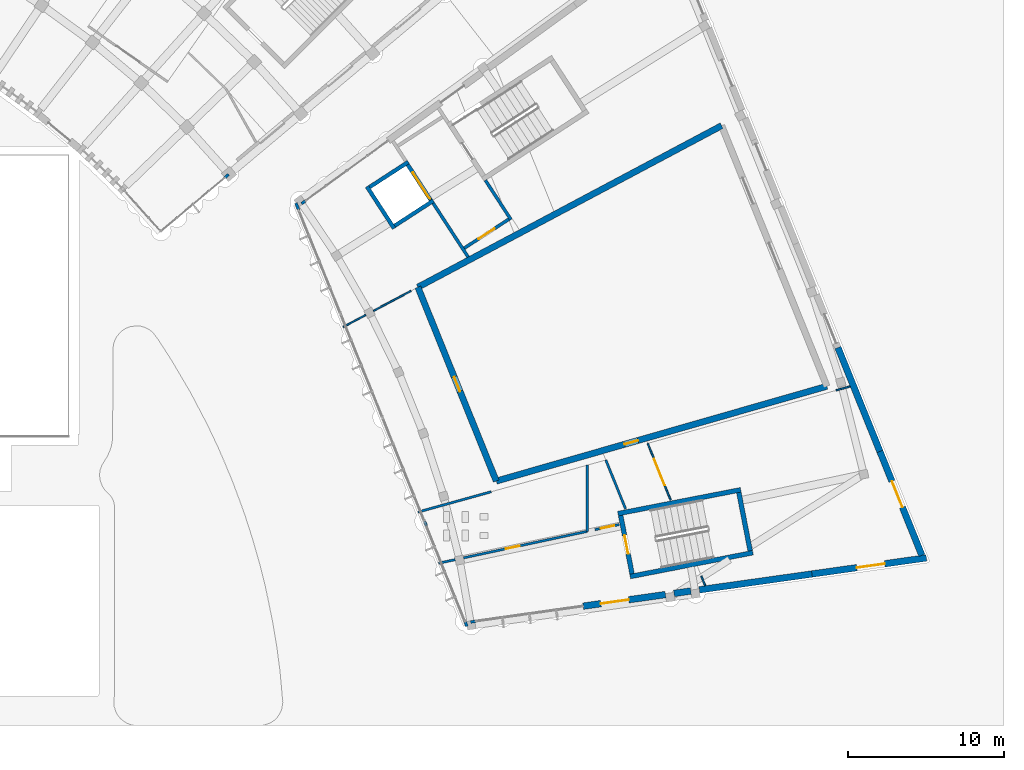
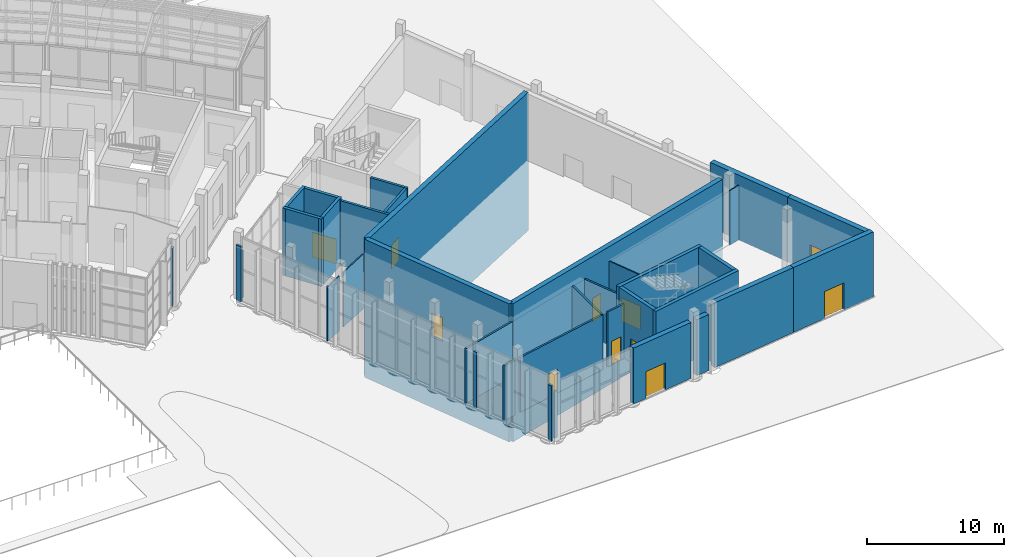
# One storey, part 99 of 155: 37 walls, 11 doors, 11 openings.
"""IFC4 building model written with IfcOpenShell, lengths in metres."""

from ifc_helpers import new_model, si_unit, direction, frame, frame_2d, origin, place, context, subcontext, project, spatial, rectangle, extrude, material, layer, layer_set, type_object, element, fill, save


model = new_model("IFC4")

# Units and contexts
model_context = context("Model", 3, precision=1e-05, world=origin(), true_north=direction((0.0, 1.0)))
body_context = subcontext(model_context, "Body", "Model", "MODEL_VIEW")
ifc_project = project(units=[si_unit("LENGTHUNIT", "METRE"), si_unit("AREAUNIT", "SQUARE_METRE"), si_unit("VOLUMEUNIT", "CUBIC_METRE"), si_unit("PLANEANGLEUNIT", "RADIAN"), si_unit("MASSUNIT", "GRAM", prefix="KILO")], contexts=[model_context])

# Site, building, storey
site_placement = place(None, origin())
site = spatial("IfcSite", under=ifc_project, at=site_placement, CompositionType="ELEMENT")
building_placement = place(site_placement, origin())
building = spatial("IfcBuilding", under=site, at=building_placement, Name="Lunette Opera House", CompositionType="ELEMENT")
storey_placement = place(building_placement, origin())
storey = spatial("IfcBuildingStorey", under=building, at=storey_placement, Name="L00", CompositionType="ELEMENT", Elevation=0.0)

# Wall
ifc_material_1 = material(Name="Plastered clay blockwork", Category="masonry")
ifc_layer_1 = layer(ifc_material_1, 0.14990234375)
ifc_layer_set_1 = layer_set([ifc_layer_1], Name="Plastered clay blockwork")
wall_type_1 = type_object("IfcWallType", Name="BLOCK PARTITION 150", PredefinedType="PARTITIONING", material=ifc_layer_set_1)
wall_1_placement = place(storey_placement, frame((152.51611328125, 15.662109375, 0.0), z_axis=(0.0, 0.0, 1.0), x_axis=(0.963682662367, 0.267050044473, 0.0)))
element("IfcWall", 1, at=wall_1_placement, inside=storey, type_object=wall_type_1, Name="Partition Studio Dressing Rooms", PredefinedType="PARTITIONING", context=body_context, shape_type="SweptSolid", body=[
    extrude(rectangle(XDim=4.856201171875, YDim=0.14990234375, at=frame_2d((2.42822265625, 0.0))), origin(), (0.0, 0.0, 1.0), 4.8798828125),
])

# Wall, opening, door
wall_2_placement = place(storey_placement, frame((155.427978515625, 12.72998046875, 0.0), z_axis=(0.0, 0.0, 1.0), x_axis=(0.977817422175, 0.209459038694, 0.0)))
wall_2 = element("IfcWall", 2, at=wall_2_placement, inside=storey, type_object=wall_type_1, Name="Partition Studio WC", PredefinedType="PARTITIONING", context=body_context, shape_type="SweptSolid", body=[
    extrude(rectangle(XDim=8.092529296875, YDim=0.14990234375, at=frame_2d((4.04638671875, 0.0))), origin(), (0.0, 0.0, 1.0), 4.8798828125),
])
opening_1_placement = place(wall_2_placement, frame((2.758056640625, 0.0, 0.0)))
opening_1 = element("IfcOpeningElement", 3, at=opening_1_placement, cuts=wall_2, Name="Opening SB-D3009", PredefinedType="OPENING", context=body_context, shape_type="SweptSolid", body=[
    extrude(rectangle(XDim=0.89990234375, YDim=2.10009765625, at=frame_2d((0.449951171875, 1.050048828125))), frame((0.0, 0.0869140625, 0.0), z_axis=(0.0, -1.0, 0.0), x_axis=(1.0, 0.0, 0.0)), (0.0, 0.0, 1.0), 0.173828125),
])
ifc_material_2 = material(Name="Timber", Category="wood")
door_type_1 = type_object("IfcDoorType", Name="FLUSH DOOR 900 X 2100", OperationType="SINGLE_SWING_LEFT", PredefinedType="DOOR", material=ifc_material_2)
door_1_placement = place(opening_1_placement, origin())
door_1 = element("IfcDoor", 4, at=door_1_placement, inside=storey, type_object=door_type_1, Name="Studio WC door", OperationType="SINGLE_SWING_LEFT", OverallHeight=2.10009765625, OverallWidth=0.89990234375, PredefinedType="DOOR", context=body_context, shape_type="SweptSolid", body=[
    extrude(rectangle(XDim=0.89990234375, YDim=2.10009765625, at=frame_2d((0.449951171875, 1.050048828125))), frame((0.0, 0.02490234375, 0.0), z_axis=(0.0, -1.0, 0.0), x_axis=(1.0, 0.0, 0.0)), (0.0, 0.0, 1.0), 0.050048828125),
])
fill(opening_1, door_1)

# Walls
wall_3_placement = place(storey_placement, frame((153.837890625, 12.388916015625, 0.0), z_axis=(0.0, 0.0, 1.0), x_axis=(0.977825675762, 0.209420504774, 0.0)))
element("IfcWall", 5, at=wall_3_placement, inside=storey, type_object=wall_type_1, Name="Partition Studio WC", PredefinedType="PARTITIONING", context=body_context, shape_type="SweptSolid", body=[
    extrude(rectangle(XDim=1.074951171875, YDim=0.14990234375, at=frame_2d((0.53759765625, 0.0))), origin(), (0.0, 0.0, 1.0), 4.8798828125),
])
wall_4_placement = place(storey_placement, frame((163.341064453125, 14.427001953125, 0.0), z_axis=(0.0, 0.0, 1.0), x_axis=(0.0, 1.0, 0.0)))
element("IfcWall", 6, at=wall_4_placement, inside=storey, type_object=wall_type_1, Name="Partition Studio WC", PredefinedType="PARTITIONING", context=body_context, shape_type="SweptSolid", body=[
    extrude(rectangle(XDim=4.23388671875, YDim=0.14990234375, at=frame_2d((2.116943359375, 0.0))), origin(), (0.0, 0.0, 1.0), 4.8798828125),
])
wall_5_placement = place(storey_placement, frame((165.7939453125, 15.85888671875, 0.0), z_axis=(0.0, 0.0, 1.0), x_axis=(-0.374567043553, 0.927199832767, 0.0)))
element("IfcWall", 7, at=wall_5_placement, inside=storey, type_object=wall_type_1, Name="Partition Accessible WC Studio", PredefinedType="PARTITIONING", context=body_context, shape_type="SweptSolid", body=[
    extrude(rectangle(XDim=3.376953125, YDim=0.14990234375, at=frame_2d((1.6884765625, 0.0))), origin(), (0.0, 0.0, 1.0), 4.8798828125),
])

# Wall, opening, door
wall_6_placement = place(storey_placement, frame((163.830078125, 14.530029296875, 0.0), z_axis=(0.0, 0.0, 1.0), x_axis=(0.97793446098, 0.208911919307, 0.0)))
wall_6 = element("IfcWall", 8, at=wall_6_placement, inside=storey, type_object=wall_type_1, Name="Partition Accessible WC Studio", PredefinedType="PARTITIONING", context=body_context, shape_type="SweptSolid", body=[
    extrude(rectangle(XDim=1.593994140625, YDim=0.14990234375, at=frame_2d((0.796875, 0.0))), origin(), (0.0, 0.0, 1.0), 4.8798828125),
])
opening_2_placement = place(wall_6_placement, frame((0.3720703125, 0.0, 0.0)))
opening_2 = element("IfcOpeningElement", 9, at=opening_2_placement, cuts=wall_6, Name="Opening SB-D3010", PredefinedType="OPENING", context=body_context, shape_type="SweptSolid", body=[
    extrude(rectangle(XDim=0.89990234375, YDim=2.10009765625, at=frame_2d((0.449951171875, 1.050048828125))), frame((0.0, 0.0869140625, 0.0), z_axis=(0.0, -1.0, 0.0), x_axis=(1.0, 0.0, 0.0)), (0.0, 0.0, 1.0), 0.173828125),
])
door_2_placement = place(opening_2_placement, origin())
door_2 = element("IfcDoor", 10, at=door_2_placement, inside=storey, type_object=door_type_1, Name="Accessible WC Studio door", OperationType="SINGLE_SWING_RIGHT", OverallHeight=2.10009765625, OverallWidth=0.89990234375, PredefinedType="DOOR", context=body_context, shape_type="SweptSolid", body=[
    extrude(rectangle(XDim=0.89990234375, YDim=2.10009765625, at=frame_2d((0.449951171875, 1.050048828125))), frame((0.0, 0.02490234375, 0.0), z_axis=(0.0, -1.0, 0.0), x_axis=(1.0, 0.0, 0.0)), (0.0, 0.0, 1.0), 0.050048828125),
])
fill(opening_2, door_2)

# Walls
ifc_material_3 = material(Name="Insulated aluminium sandwich panel", Category="aluminium")
ifc_layer_2 = layer(ifc_material_3, 0.179931640625)
ifc_layer_set_2 = layer_set([ifc_layer_2], Name="Insulated aluminium sandwich panel")
wall_type_2 = type_object("IfcWallType", Name="CURTAIN WALL INFILL 180", PredefinedType="SOLIDWALL", material=ifc_layer_set_2)
wall_7_placement = place(storey_placement, frame((140.162109375, 37.056884765625, 0.0), z_axis=(0.0, 0.0, 1.0), x_axis=(0.766382097523, 0.642384994062, 0.0)))
element("IfcWall", 11, at=wall_7_placement, inside=storey, type_object=wall_type_2, Name="Curtain Wall Infill 180 IN8 L00", PredefinedType="SOLIDWALL", context=body_context, shape_type="SweptSolid", body=[
    extrude(rectangle(XDim=0.30517578125, YDim=0.179931640625, at=frame_2d((0.152587890625, 0.0))), origin(), (0.0, 0.0, 1.0), 5.14990234375),
])
wall_8_placement = place(storey_placement, frame((144.8759765625, 34.9990234375, 0.0), z_axis=(0.0, 0.0, 1.0), x_axis=(-0.374558592096, 0.927203246914, 0.0)))
element("IfcWall", 12, at=wall_8_placement, inside=storey, type_object=wall_type_2, Name="Curtain Wall Infill 180 IN124 L00", PredefinedType="SOLIDWALL", context=body_context, shape_type="SweptSolid", body=[
    extrude(rectangle(XDim=0.46484375, YDim=0.179931640625, at=frame_2d((0.232421875, 0.0))), origin(), (0.0, 0.0, 1.0), 4.929931640625),
])
wall_9_placement = place(storey_placement, frame((152.928955078125, 15.06689453125, 0.0), z_axis=(0.0, 0.0, 1.0), x_axis=(0.373735167079, -0.927535457483, 0.0)))
element("IfcWall", 13, at=wall_9_placement, inside=storey, type_object=wall_type_2, Name="Curtain Wall Infill 180 IN125 L00", PredefinedType="SOLIDWALL", context=body_context, shape_type="SweptSolid", body=[
    extrude(rectangle(XDim=0.30517578125, YDim=0.179931640625, at=frame_2d((0.152587890625, 0.0))), origin(), (0.0, 0.0, 1.0), 4.929931640625),
])
wall_10_placement = place(storey_placement, frame((155.527099609375, 8.635986328125, 0.0), z_axis=(0.0, 0.0, 1.0), x_axis=(0.374463049601, -0.927241837108, 0.0)))
element("IfcWall", 14, at=wall_10_placement, inside=storey, type_object=wall_type_2, Name="Curtain Wall Infill 180 IN126 L00", PredefinedType="SOLIDWALL", context=body_context, shape_type="SweptSolid", body=[
    extrude(rectangle(XDim=0.31494140625, YDim=0.179931640625, at=frame_2d((0.157470703125, 0.0))), origin(), (0.0, 0.0, 1.0), 4.929931640625),
])
for number, where, z_axis, x_axis, name in (
    (15, (156.18408203125, 8.669921875, 0.0), (0.0, 0.0, 1.0), (-0.99047104668, -0.137721115626, 0.0), "Curtain Wall Infill 180 IN127 L00"),
    (16, (145.31591796875, 35.571044921875, 0.0), (0.0, 0.0, 1.0), (-0.809600929575, -0.586980693747, 0.0), "Curtain Wall Infill 180 IN128 L00"),
):
    element("IfcWall", number, at=place(storey_placement, frame(where, z_axis=z_axis, x_axis=x_axis)), inside=storey, type_object=wall_type_2, Name=name, PredefinedType="SOLIDWALL", context=body_context, shape_type="SweptSolid", body=[
        extrude(rectangle(XDim=0.304931640625, YDim=0.179931640625, at=frame_2d((0.15234375, 0.0))), origin(), (0.0, 0.0, 1.0), 4.1298828125),
    ])
ifc_material_4 = material(Name="Concrete C35/45", Category="concrete")
ifc_layer_3 = layer(ifc_material_4, 0.199951171875)
ifc_layer_set_3 = layer_set([ifc_layer_3], Name="Concrete C35/45")
wall_type_3 = type_object("IfcWallType", Name="LOBBY WALL 200", PredefinedType="PARTITIONING", material=ifc_layer_set_3)
wall_11_placement = place(storey_placement, frame((153.47607421875, 35.428955078125, 0.0), z_axis=(0.0, 0.0, 1.0), x_axis=(0.544730341518, -0.838611265742, 0.0)))
element("IfcWall", 17, at=wall_11_placement, inside=storey, type_object=wall_type_3, Name="LL-ST lobby wall 1b", PredefinedType="PARTITIONING", context=body_context, shape_type="SweptSolid", body=[
    extrude(rectangle(XDim=4.124755859375, YDim=0.199951171875, at=frame_2d((2.0625, 0.0))), origin(), (0.0, 0.0, 1.0), 5.780029296875),
])

# Wall, opening, door
wall_12_placement = place(storey_placement, frame((155.470947265625, 32.5400390625, 0.0), z_axis=(0.0, 0.0, 1.0), x_axis=(0.838683012783, 0.544619871167, 0.0)))
wall_12 = element("IfcWall", 18, at=wall_12_placement, inside=storey, type_object=wall_type_3, Name="LL-ST lobby wall 2a", PredefinedType="PARTITIONING", context=body_context, shape_type="SweptSolid", body=[
    extrude(rectangle(XDim=3.400634765625, YDim=0.199951171875, at=frame_2d((1.7001953125, 0.0))), origin(), (0.0, 0.0, 1.0), 5.780029296875),
])
opening_3_placement = place(wall_12_placement, frame((1.10009765625, 0.0, 0.0)))
opening_3 = element("IfcOpeningElement", 19, at=opening_3_placement, cuts=wall_12, Name="Opening SB-D7011", PredefinedType="OPENING", context=body_context, shape_type="SweptSolid", body=[
    extrude(rectangle(XDim=1.199951171875, YDim=2.10009765625, at=frame_2d((0.60009765625, 1.050048828125))), frame((0.0, 0.112060546875, 0.0), z_axis=(0.0, -1.0, 0.0), x_axis=(1.0, 0.0, 0.0)), (0.0, 0.0, 1.0), 0.223876953125),
])
ifc_material_5 = material(Name="Steel", Category="steel")
door_type_2 = type_object("IfcDoorType", Name="FIRE DOOR 1200 X 2100", OperationType="SINGLE_SWING_LEFT", PredefinedType="DOOR", material=ifc_material_5)
door_3_placement = place(opening_3_placement, origin())
door_3 = element("IfcDoor", 20, at=door_3_placement, inside=storey, type_object=door_type_2, Name="LL-ST lobby door", OperationType="SINGLE_SWING_LEFT", OverallHeight=2.10009765625, OverallWidth=1.199951171875, PredefinedType="DOOR", context=body_context, shape_type="SweptSolid", body=[
    extrude(rectangle(XDim=1.199951171875, YDim=2.10009765625, at=frame_2d((0.60009765625, 1.050048828125))), frame((0.0, 0.02490234375, 0.0), z_axis=(0.0, -1.0, 0.0), x_axis=(1.0, 0.0, 0.0)), (0.0, 0.0, 1.0), 0.050048828125),
])
fill(opening_3, door_3)

# Walls
wall_13_placement = place(storey_placement, frame((158.4619140625, 34.363037109375, 0.0), z_axis=(0.0, 0.0, 1.0), x_axis=(-0.544606183959, 0.838691900756, 0.0)))
element("IfcWall", 21, at=wall_13_placement, inside=storey, type_object=wall_type_3, Name="LL-ST lobby wall 3a", PredefinedType="PARTITIONING", context=body_context, shape_type="SweptSolid", body=[
    extrude(rectangle(XDim=3.00927734375, YDim=0.199951171875, at=frame_2d((1.504638671875, 0.0))), origin(), (0.0, 0.0, 1.0), 5.780029296875),
])
ifc_material_6 = material(Name="Concrete C35/45", Category="concrete")
ifc_layer_4 = layer(ifc_material_6, 0.25)
ifc_layer_set_4 = layer_set([ifc_layer_4], Name="Concrete C35/45")
wall_type_4 = type_object("IfcWallType", Name="RC LIFT SHAFT WALL 250", PredefinedType="SOLIDWALL", material=ifc_layer_set_4)
for number, where, z_axis, x_axis, name in (
    (22, (149.243896484375, 36.485107421875, 0.0), (0.0, 0.0, 1.0), (0.54466119011, -0.838656179842, 0.0), "LF8 shaft wall 1"),
    (23, (150.81396484375, 33.837890625, 0.0), (0.0, 0.0, 1.0), (0.838656179842, 0.54466119011, 0.0), "LF8 shaft wall 2"),
):
    element("IfcWall", number, at=place(storey_placement, frame(where, z_axis=z_axis, x_axis=x_axis)), inside=storey, type_object=wall_type_4, Name=name, PredefinedType="SOLIDWALL", context=body_context, shape_type="SweptSolid", body=[
        extrude(rectangle(XDim=3.200439453125, YDim=0.25, at=frame_2d((1.60009765625, 0.0))), origin(), (0.0, 0.0, 1.0), 6.0),
    ])

# Wall, opening, door
wall_14_placement = place(storey_placement, frame((153.4609375, 35.407958984375, 0.0), z_axis=(0.0, 0.0, 1.0), x_axis=(-0.544746938909, 0.838600484467, 0.0)))
wall_14 = element("IfcWall", 24, at=wall_14_placement, inside=storey, type_object=wall_type_4, Name="LF8 shaft wall 3", PredefinedType="SOLIDWALL", context=body_context, shape_type="SweptSolid", body=[
    extrude(rectangle(XDim=3.199462890625, YDim=0.25, at=frame_2d((1.599609375, 0.0))), origin(), (0.0, 0.0, 1.0), 6.0),
])
opening_4_placement = place(wall_14_placement, frame((0.35009765625, 0.0, 0.0)))
opening_4 = element("IfcOpeningElement", 25, at=opening_4_placement, cuts=wall_14, Name="Opening SB-LD002", PredefinedType="OPENING", context=body_context, shape_type="SweptSolid", body=[
    extrude(rectangle(XDim=2.0, YDim=2.199951171875, at=frame_2d((1.0, 1.10009765625))), frame((0.0, 0.136962890625, 0.0), z_axis=(0.0, -1.0, 0.0), x_axis=(1.0, 0.0, 0.0)), (0.0, 0.0, 1.0), 0.27392578125),
])
ifc_material_7 = material(Name="Stainless steel", Category="steel")
door_type_3 = type_object("IfcDoorType", Name="LIFT LANDING DOOR 2000 X 2200", OperationType="DOUBLE_DOOR_SLIDING", PredefinedType="DOOR", material=ifc_material_7)
door_4_placement = place(opening_4_placement, origin())
door_4 = element("IfcDoor", 26, at=door_4_placement, inside=storey, type_object=door_type_3, Name="LF8 lift landing door", OperationType="DOUBLE_DOOR_SLIDING", OverallHeight=2.199951171875, OverallWidth=2.0, PredefinedType="DOOR", context=body_context, shape_type="SweptSolid", body=[
    extrude(rectangle(XDim=2.0, YDim=2.199951171875, at=frame_2d((1.0, 1.10009765625))), frame((0.0, 0.02490234375, 0.0), z_axis=(0.0, -1.0, 0.0), x_axis=(1.0, 0.0, 0.0)), (0.0, 0.0, 1.0), 0.050048828125),
])
fill(opening_4, door_4)

# Wall
wall_15_placement = place(storey_placement, frame((151.89111328125, 38.053955078125, 0.0), z_axis=(0.0, 0.0, 1.0), x_axis=(-0.838830397361, -0.544392840201, 0.0)))
element("IfcWall", 27, at=wall_15_placement, inside=storey, type_object=wall_type_4, Name="LF8 shaft wall 4", PredefinedType="SOLIDWALL", context=body_context, shape_type="SweptSolid", body=[
    extrude(rectangle(XDim=3.19970703125, YDim=0.25, at=frame_2d((1.599853515625, 0.0))), origin(), (0.0, 0.0, 1.0), 6.0),
])

# Wall, opening, door
ifc_material_8 = material(Name="Concrete C35/45", Category="concrete")
ifc_layer_5 = layer(ifc_material_8, 0.300048828125)
ifc_layer_set_5 = layer_set([ifc_layer_5], Name="Concrete C35/45")
wall_type_5 = type_object("IfcWallType", Name="RC STAIR ENCLOSURE WALL 300", PredefinedType="SOLIDWALL", material=ifc_layer_set_5)
wall_16_placement = place(storey_placement, frame((165.47998046875, 15.44091796875, 0.0), z_axis=(0.0, 0.0, 1.0), x_axis=(0.190824946063, -0.981624082814, 0.0)))
wall_16 = element("IfcWall", 28, at=wall_16_placement, inside=storey, type_object=wall_type_5, Name="ST22 enclosure wall 1", PredefinedType="SOLIDWALL", context=body_context, shape_type="SweptSolid", body=[
    extrude(rectangle(XDim=3.7998046875, YDim=0.300048828125, at=frame_2d((1.89990234375, 0.0))), origin(), (0.0, 0.0, 1.0), 6.0),
])
opening_5_placement = place(wall_16_placement, frame((1.300048828125, 0.0, 0.0)))
opening_5 = element("IfcOpeningElement", 29, at=opening_5_placement, cuts=wall_16, Name="Opening SB-D7007", PredefinedType="OPENING", context=body_context, shape_type="SweptSolid", body=[
    extrude(rectangle(XDim=1.199951171875, YDim=2.10009765625, at=frame_2d((0.60009765625, 1.050048828125))), frame((0.0, 0.162109375, 0.0), z_axis=(0.0, -1.0, 0.0), x_axis=(1.0, 0.0, 0.0)), (0.0, 0.0, 1.0), 0.323974609375),
])
door_5_placement = place(opening_5_placement, origin())
door_5 = element("IfcDoor", 30, at=door_5_placement, inside=storey, type_object=door_type_2, Name="ST22 stair door", OperationType="SINGLE_SWING_LEFT", OverallHeight=2.10009765625, OverallWidth=1.199951171875, PredefinedType="DOOR", context=body_context, shape_type="SweptSolid", body=[
    extrude(rectangle(XDim=1.199951171875, YDim=2.10009765625, at=frame_2d((0.60009765625, 1.050048828125))), frame((0.0, 0.02490234375, 0.0), z_axis=(0.0, -1.0, 0.0), x_axis=(1.0, 0.0, 0.0)), (0.0, 0.0, 1.0), 0.050048828125),
])
fill(opening_5, door_5)

# Walls
wall_17_placement = place(storey_placement, frame((166.0859375, 11.534912109375, 0.0), z_axis=(0.0, 0.0, 1.0), x_axis=(0.981635396686, 0.190766737073, 0.0)))
element("IfcWall", 31, at=wall_17_placement, inside=storey, type_object=wall_type_5, Name="ST22 enclosure wall 2", PredefinedType="SOLIDWALL", context=body_context, shape_type="SweptSolid", body=[
    extrude(rectangle(XDim=8.0, YDim=0.300048828125, at=frame_2d((4.0, 0.0))), origin(), (0.0, 0.0, 1.0), 6.0),
])
wall_18_placement = place(storey_placement, frame((173.763916015625, 13.179931640625, 0.0), z_axis=(0.0, 0.0, 1.0), x_axis=(-0.190763033741, 0.981636116368, 0.0)))
element("IfcWall", 32, at=wall_18_placement, inside=storey, type_object=wall_type_5, Name="ST22 enclosure wall 3", PredefinedType="SOLIDWALL", context=body_context, shape_type="SweptSolid", body=[
    extrude(rectangle(XDim=3.7998046875, YDim=0.300048828125, at=frame_2d((1.89990234375, 0.0))), origin(), (0.0, 0.0, 1.0), 6.0),
])
wall_19_placement = place(storey_placement, frame((173.157958984375, 17.0859375, 0.0), z_axis=(0.0, 0.0, 1.0), x_axis=(-0.981641111144, -0.190737329623, 0.0)))
element("IfcWall", 33, at=wall_19_placement, inside=storey, type_object=wall_type_5, Name="ST22 enclosure wall 4", PredefinedType="SOLIDWALL", context=body_context, shape_type="SweptSolid", body=[
    extrude(rectangle(XDim=8.0, YDim=0.300048828125, at=frame_2d((4.0, 0.0))), origin(), (0.0, 0.0, 1.0), 6.0),
])
ifc_material_9 = material(Name="Concrete C35/45", Category="concrete")
ifc_layer_6 = layer(ifc_material_9, 0.39990234375)
ifc_layer_set_6 = layer_set([ifc_layer_6], Name="Concrete C35/45")
wall_type_6 = type_object("IfcWallType", Name="RC WALL 400", PredefinedType="SHEAR", material=ifc_layer_set_6)
wall_20_placement = place(storey_placement, frame((171.93310546875, 40.375, -6.300048828125), z_axis=(0.0, 0.0, 1.0), x_axis=(-0.882926128241, -0.469511929634, 0.0)))
element("IfcWall", 34, at=wall_20_placement, inside=storey, type_object=wall_type_6, Name="wall-SB-L00-HW1", PredefinedType="SHEAR", context=body_context, shape_type="SweptSolid", body=[
    extrude(rectangle(XDim=21.999755859375, YDim=0.39990234375, at=frame_2d((11.0, 0.0))), origin(), (0.0, 0.0, 1.0), 12.300048828125),
])

# Wall, opening, door
wall_21_placement = place(storey_placement, frame((152.509033203125, 30.0458984375, -6.300048828125), z_axis=(0.0, 0.0, 1.0), x_axis=(0.374613299166, -0.92718114524, 0.0)))
wall_21 = element("IfcWall", 35, at=wall_21_placement, inside=storey, type_object=wall_type_6, Name="wall-SB-L00-HW2", PredefinedType="SHEAR", context=body_context, shape_type="SweptSolid", body=[
    extrude(rectangle(XDim=13.379150390625, YDim=0.39990234375, at=frame_2d((6.689453125, 0.0))), origin(), (0.0, 0.0, 1.0), 12.300048828125),
])
opening_6_placement = place(wall_21_placement, frame((6.19091796875, 0.0, 6.300048828125)))
opening_6 = element("IfcOpeningElement", 36, at=opening_6_placement, cuts=wall_21, Name="Opening SB-D3007", PredefinedType="OPENING", context=body_context, shape_type="SweptSolid", body=[
    extrude(rectangle(XDim=1.0, YDim=2.10009765625, at=frame_2d((0.5, 1.050048828125))), frame((0.0, 0.2119140625, 0.0), z_axis=(0.0, -1.0, 0.0), x_axis=(1.0, 0.0, 0.0)), (0.0, 0.0, 1.0), 0.423828125),
])
ifc_material_10 = material(Name="Timber", Category="wood")
door_type_4 = type_object("IfcDoorType", Name="FLUSH DOOR 1000 X 2100", OperationType="SINGLE_SWING_LEFT", PredefinedType="DOOR", material=ifc_material_10)
door_6_placement = place(opening_6_placement, origin())
door_6 = element("IfcDoor", 37, at=door_6_placement, inside=storey, type_object=door_type_4, Name="Studio Dressing Rooms door", OperationType="SINGLE_SWING_RIGHT", OverallHeight=2.10009765625, OverallWidth=1.0, PredefinedType="DOOR", context=body_context, shape_type="SweptSolid", body=[
    extrude(rectangle(XDim=1.0, YDim=2.10009765625, at=frame_2d((0.5, 1.050048828125))), frame((0.0, 0.02490234375, 0.0), z_axis=(0.0, -1.0, 0.0), x_axis=(1.0, 0.0, 0.0)), (0.0, 0.0, 1.0), 0.050048828125),
])
fill(opening_6, door_6)

wall_22_placement = place(storey_placement, frame((157.52099609375, 17.64111328125, -6.300048828125), z_axis=(0.0, 0.0, 1.0), x_axis=(0.961263044958, 0.275632651182, 0.0)))
wall_22 = element("IfcWall", 38, at=wall_22_placement, inside=storey, type_object=wall_type_6, Name="wall-SB-L00-HW3", PredefinedType="SHEAR", context=body_context, shape_type="SweptSolid", body=[
    extrude(rectangle(XDim=22.000244140625, YDim=0.39990234375, at=frame_2d((11.0, 0.0))), origin(), (0.0, 0.0, 1.0), 12.300048828125),
])
opening_7_placement = place(wall_22_placement, frame((8.531005859375, 0.0, 6.300048828125)))
opening_7 = element("IfcOpeningElement", 39, at=opening_7_placement, cuts=wall_22, Name="Opening SB-D3011", PredefinedType="OPENING", context=body_context, shape_type="SweptSolid", body=[
    extrude(rectangle(XDim=0.89990234375, YDim=2.10009765625, at=frame_2d((0.449951171875, 1.050048828125))), frame((0.0, 0.2119140625, 0.0), z_axis=(0.0, -1.0, 0.0), x_axis=(1.0, 0.0, 0.0)), (0.0, 0.0, 1.0), 0.423828125),
])
door_7_placement = place(opening_7_placement, origin())
door_7 = element("IfcDoor", 40, at=door_7_placement, inside=storey, type_object=door_type_1, Name="Studio Corridor South East door", OperationType="SINGLE_SWING_LEFT", OverallHeight=2.10009765625, OverallWidth=0.89990234375, PredefinedType="DOOR", context=body_context, shape_type="SweptSolid", body=[
    extrude(rectangle(XDim=0.89990234375, YDim=2.10009765625, at=frame_2d((0.449951171875, 1.050048828125))), frame((0.0, 0.02490234375, 0.0), z_axis=(0.0, -1.0, 0.0), x_axis=(1.0, 0.0, 0.0)), (0.0, 0.0, 1.0), 0.050048828125),
])
fill(opening_7, door_7)

# Walls
ifc_material_11 = material(Name="Gypsum board on steel studs", Category="steel")
ifc_layer_7 = layer(ifc_material_11, 0.10009765625)
ifc_layer_set_7 = layer_set([ifc_layer_7], Name="Gypsum board on steel studs")
wall_type_7 = type_object("IfcWallType", Name="STUD PARTITION 100", PredefinedType="PARTITIONING", material=ifc_layer_set_7)
wall_23_placement = place(storey_placement, frame((179.263916015625, 23.445068359375, 0.0), z_axis=(0.0, 0.0, 1.0), x_axis=(0.962432048277, 0.271522655501, 0.0)))
element("IfcWall", 41, at=wall_23_placement, inside=storey, type_object=wall_type_7, Name="Partition Studio Foyer", PredefinedType="PARTITIONING", context=body_context, shape_type="SweptSolid", body=[
    extrude(rectangle(XDim=0.927978515625, YDim=0.10009765625, at=frame_2d((0.4638671875, 0.0))), origin(), (0.0, 0.0, 1.0), 4.8798828125),
])
wall_24_placement = place(storey_placement, frame((149.6630859375, 28.529052734375, 0.0), z_axis=(0.0, 0.0, 1.0), x_axis=(0.882836035131, 0.469681312247, 0.0)))
element("IfcWall", 42, at=wall_24_placement, inside=storey, type_object=wall_type_7, Name="Partition Studio Bar", PredefinedType="PARTITIONING", context=body_context, shape_type="SweptSolid", body=[
    extrude(rectangle(XDim=2.725341796875, YDim=0.10009765625, at=frame_2d((1.36279296875, 0.0))), origin(), (0.0, 0.0, 1.0), 4.8798828125),
])
wall_25_placement = place(storey_placement, frame((147.73193359375, 27.5029296875, 0.0), z_axis=(0.0, 0.0, 1.0), x_axis=(0.882889505907, 0.469580792153, 0.0)))
element("IfcWall", 43, at=wall_25_placement, inside=storey, type_object=wall_type_7, Name="Partition Studio Bar", PredefinedType="PARTITIONING", context=body_context, shape_type="SweptSolid", body=[
    extrude(rectangle(XDim=1.6357421875, YDim=0.10009765625, at=frame_2d((0.81787109375, 0.0))), origin(), (0.0, 0.0, 1.0), 4.8798828125),
])

# Wall, opening, door
wall_26_placement = place(storey_placement, frame((168.677978515625, 16.4189453125, 0.0), z_axis=(0.0, 0.0, 1.0), x_axis=(-0.374729910149, 0.927134021833, 0.0)))
wall_26 = element("IfcWall", 44, at=wall_26_placement, inside=storey, type_object=wall_type_7, Name="Partition Studio Corridor South East", PredefinedType="PARTITIONING", context=body_context, shape_type="SweptSolid", body=[
    extrude(rectangle(XDim=3.91748046875, YDim=0.10009765625, at=frame_2d((1.958740234375, 0.0))), origin(), (0.0, 0.0, 1.0), 4.8798828125),
])
opening_8_placement = place(wall_26_placement, frame((1.032958984375, 0.0, 0.0)))
opening_8 = element("IfcOpeningElement", 45, at=opening_8_placement, cuts=wall_26, Name="Opening SB-D3008", PredefinedType="OPENING", context=body_context, shape_type="SweptSolid", body=[
    extrude(rectangle(XDim=1.800048828125, YDim=2.10009765625, at=frame_2d((0.89990234375, 1.050048828125))), frame((0.0, 0.06201171875, 0.0), z_axis=(0.0, -1.0, 0.0), x_axis=(1.0, 0.0, 0.0)), (0.0, 0.0, 1.0), 0.1240234375),
])
ifc_material_12 = material(Name="Timber", Category="wood")
door_type_5 = type_object("IfcDoorType", Name="DOUBLE FLUSH DOOR 1800 X 2100", OperationType="DOUBLE_DOOR_SINGLE_SWING", PredefinedType="DOOR", material=ifc_material_12)
door_8_placement = place(opening_8_placement, origin())
door_8 = element("IfcDoor", 46, at=door_8_placement, inside=storey, type_object=door_type_5, Name="Studio Rehearsal Room door", OperationType="DOUBLE_DOOR_SINGLE_SWING", OverallHeight=2.10009765625, OverallWidth=1.800048828125, PredefinedType="DOOR", context=body_context, shape_type="SweptSolid", body=[
    extrude(rectangle(XDim=1.800048828125, YDim=2.10009765625, at=frame_2d((0.89990234375, 1.050048828125))), frame((0.0, 0.02490234375, 0.0), z_axis=(0.0, -1.0, 0.0), x_axis=(1.0, 0.0, 0.0)), (0.0, 0.0, 1.0), 0.050048828125),
])
fill(opening_8, door_8)

# Wall
wall_27_placement = place(storey_placement, frame((170.887939453125, 10.948974609375, 0.0), z_axis=(0.0, 0.0, 1.0), x_axis=(-0.374655870393, 0.927163943852, 0.0)))
element("IfcWall", 47, at=wall_27_placement, inside=storey, type_object=wall_type_7, Name="Partition Studio Corridor", PredefinedType="PARTITIONING", context=body_context, shape_type="SweptSolid", body=[
    extrude(rectangle(XDim=0.669921875, YDim=0.10009765625, at=frame_2d((0.3349609375, 0.0))), origin(), (0.0, 0.0, 1.0), 4.8798828125),
])

# Wall, opening, door
ifc_material_13 = material(Name="Clinker brick", Category="masonry")
ifc_layer_8 = layer(ifc_material_13, 0.419921875)
ifc_layer_set_8 = layer_set([ifc_layer_8], Name="Clinker brick")
wall_type_8 = type_object("IfcWallType", Name="STUDIO BRICK WALL 420", PredefinedType="SOLIDWALL", material=ifc_layer_set_8)
wall_28_placement = place(storey_placement, frame((163.076904296875, 9.638916015625, 0.0), z_axis=(0.0, 0.0, 1.0), x_axis=(0.990252820999, 0.139281551197, 0.0)))
wall_28 = element("IfcWall", 48, at=wall_28_placement, inside=storey, type_object=wall_type_8, Name="Studio Brick Wall 420 F06-1 L00", PredefinedType="SOLIDWALL", context=body_context, shape_type="SweptSolid", body=[
    extrude(rectangle(XDim=5.31982421875, YDim=0.419921875, at=frame_2d((2.659912109375, 0.0))), origin(), (0.0, 0.0, 1.0), 4.97998046875),
])
opening_9_placement = place(wall_28_placement, frame((1.14990234375, 0.0, 0.0)))
opening_9 = element("IfcOpeningElement", 49, at=opening_9_placement, cuts=wall_28, Name="Opening SB-D2006", PredefinedType="OPENING", context=body_context, shape_type="SweptSolid", body=[
    extrude(rectangle(XDim=1.800048828125, YDim=2.39990234375, at=frame_2d((0.89990234375, 1.199951171875))), frame((0.0, 0.221923828125, 0.0), z_axis=(0.0, -1.0, 0.0), x_axis=(1.0, 0.0, 0.0)), (0.0, 0.0, 1.0), 0.44384765625),
])
ifc_material_14 = material(Name="Powder-coated steel", Category="steel")
door_type_6 = type_object("IfcDoorType", Name="EXIT DOUBLE DOOR 1800 X 2400", OperationType="DOUBLE_DOOR_DOUBLE_SWING", PredefinedType="DOOR", material=ifc_material_14)
door_9_placement = place(opening_9_placement, origin())
door_9 = element("IfcDoor", 50, at=door_9_placement, inside=storey, type_object=door_type_6, Name="Exit Double Door 1800 X 2400 SBXD1 L00", OperationType="DOUBLE_DOOR_DOUBLE_SWING", OverallHeight=2.39990234375, OverallWidth=1.800048828125, PredefinedType="DOOR", context=body_context, shape_type="SweptSolid", body=[
    extrude(rectangle(XDim=1.800048828125, YDim=2.39990234375, at=frame_2d((0.89990234375, 1.199951171875))), frame((0.0, 0.02490234375, 0.0), z_axis=(0.0, -1.0, 0.0), x_axis=(1.0, 0.0, 0.0)), (0.0, 0.0, 1.0), 0.050048828125),
])
fill(opening_9, door_9)

# Walls
wall_29_placement = place(storey_placement, frame((168.889892578125, 10.4560546875, 0.0), z_axis=(0.0, 0.0, 1.0), x_axis=(0.990225632743, 0.139474715481, 0.0)))
element("IfcWall", 51, at=wall_29_placement, inside=storey, type_object=wall_type_8, Name="Studio Brick Wall 420 F06-2 L00", PredefinedType="SOLIDWALL", context=body_context, shape_type="SweptSolid", body=[
    extrude(rectangle(XDim=1.0888671875, YDim=0.419921875, at=frame_2d((0.54443359375, 0.0))), origin(), (0.0, 0.0, 1.0), 4.97998046875),
])
wall_30_placement = place(storey_placement, frame((170.512939453125, 10.68408203125, 0.0), z_axis=(0.0, 0.0, 1.0), x_axis=(0.990259181758, 0.139236320493, 0.0)))
element("IfcWall", 52, at=wall_30_placement, inside=storey, type_object=wall_type_8, Name="Studio Brick Wall 420 F07 L00", PredefinedType="SOLIDWALL", context=body_context, shape_type="SweptSolid", body=[
    extrude(rectangle(XDim=7.27490234375, YDim=0.419921875, at=frame_2d((3.637451171875, 0.0))), origin(), (0.0, 0.0, 1.0), 5.780029296875),
])

# Wall, opening, door
wall_31_placement = place(storey_placement, frame((177.717041015625, 11.697021484375, 0.0), z_axis=(0.0, 0.0, 1.0), x_axis=(0.990262769028, 0.139210805171, 0.0)))
wall_31 = element("IfcWall", 53, at=wall_31_placement, inside=storey, type_object=wall_type_8, Name="Studio Brick Wall 420 F08 L00", PredefinedType="SOLIDWALL", context=body_context, shape_type="SweptSolid", body=[
    extrude(rectangle(XDim=7.39208984375, YDim=0.419921875, at=frame_2d((3.696044921875, 0.0))), origin(), (0.0, 0.0, 1.0), 5.780029296875),
])
opening_10_placement = place(wall_31_placement, frame((2.89990234375, 0.0, 0.0)))
opening_10 = element("IfcOpeningElement", 54, at=opening_10_placement, cuts=wall_31, Name="Opening SB-D2007", PredefinedType="OPENING", context=body_context, shape_type="SweptSolid", body=[
    extrude(rectangle(XDim=1.800048828125, YDim=2.39990234375, at=frame_2d((0.89990234375, 1.199951171875))), frame((0.0, 0.221923828125, 0.0), z_axis=(0.0, -1.0, 0.0), x_axis=(1.0, 0.0, 0.0)), (0.0, 0.0, 1.0), 0.44384765625),
])
door_10_placement = place(opening_10_placement, origin())
door_10 = element("IfcDoor", 55, at=door_10_placement, inside=storey, type_object=door_type_6, Name="Exit Double Door 1800 X 2400 SBXD2 L00", OperationType="DOUBLE_DOOR_DOUBLE_SWING", OverallHeight=2.39990234375, OverallWidth=1.800048828125, PredefinedType="DOOR", context=body_context, shape_type="SweptSolid", body=[
    extrude(rectangle(XDim=1.800048828125, YDim=2.39990234375, at=frame_2d((0.89990234375, 1.199951171875))), frame((0.0, 0.02490234375, 0.0), z_axis=(0.0, -1.0, 0.0), x_axis=(1.0, 0.0, 0.0)), (0.0, 0.0, 1.0), 0.050048828125),
])
fill(opening_10, door_10)

wall_32_placement = place(storey_placement, frame((184.75, 12.89111328125, 0.0), z_axis=(0.0, 0.0, 1.0), x_axis=(-0.374594824941, 0.927188609252, 0.0)))
wall_32 = element("IfcWall", 56, at=wall_32_placement, inside=storey, type_object=wall_type_8, Name="Studio Brick Wall 420 F09 L00", PredefinedType="SOLIDWALL", context=body_context, shape_type="SweptSolid", body=[
    extrude(rectangle(XDim=7.16796875, YDim=0.419921875, at=frame_2d((3.583984375, 0.0))), origin(), (0.0, 0.0, 1.0), 5.780029296875),
])
opening_11_placement = place(wall_32_placement, frame((3.31689453125, 0.0, 0.0)))
opening_11 = element("IfcOpeningElement", 57, at=opening_11_placement, cuts=wall_32, Name="Opening SB-D2004", PredefinedType="OPENING", context=body_context, shape_type="SweptSolid", body=[
    extrude(rectangle(XDim=1.800048828125, YDim=2.39990234375, at=frame_2d((0.89990234375, 1.199951171875))), frame((0.0, 0.221923828125, 0.0), z_axis=(0.0, -1.0, 0.0), x_axis=(1.0, 0.0, 0.0)), (0.0, 0.0, 1.0), 0.44384765625),
])
door_11_placement = place(opening_11_placement, origin())
door_11 = element("IfcDoor", 58, at=door_11_placement, inside=storey, type_object=door_type_6, Name="Exit Double Door 1800 X 2400 SBD4 L00", OperationType="DOUBLE_DOOR_DOUBLE_SWING", OverallHeight=2.39990234375, OverallWidth=1.800048828125, PredefinedType="DOOR", context=body_context, shape_type="SweptSolid", body=[
    extrude(rectangle(XDim=1.800048828125, YDim=2.39990234375, at=frame_2d((0.89990234375, 1.199951171875))), frame((0.0, 0.02490234375, 0.0), z_axis=(0.0, -1.0, 0.0), x_axis=(1.0, 0.0, 0.0)), (0.0, 0.0, 1.0), 0.050048828125),
])
fill(opening_11, door_11)

# Wall
wall_33_placement = place(storey_placement, frame((182.06494140625, 19.537109375, 0.0), z_axis=(0.0, 0.0, 1.0), x_axis=(-0.374594824941, 0.927188609252, 0.0)))
element("IfcWall", 59, at=wall_33_placement, inside=storey, type_object=wall_type_8, Name="Studio Brick Wall 420 F10 L00", PredefinedType="SOLIDWALL", context=body_context, shape_type="SweptSolid", body=[
    extrude(rectangle(XDim=7.16796875, YDim=0.419921875, at=frame_2d((3.583984375, 0.0))), origin(), (0.0, 0.0, 1.0), 5.780029296875),
])

save(model, "model.ifc")
